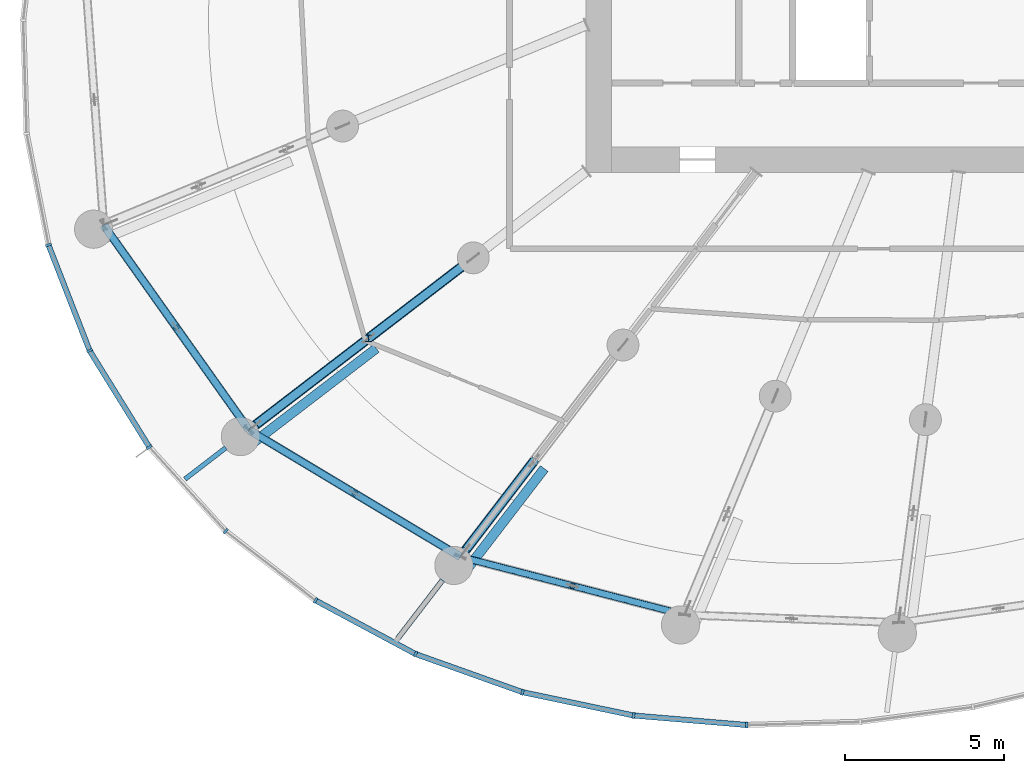
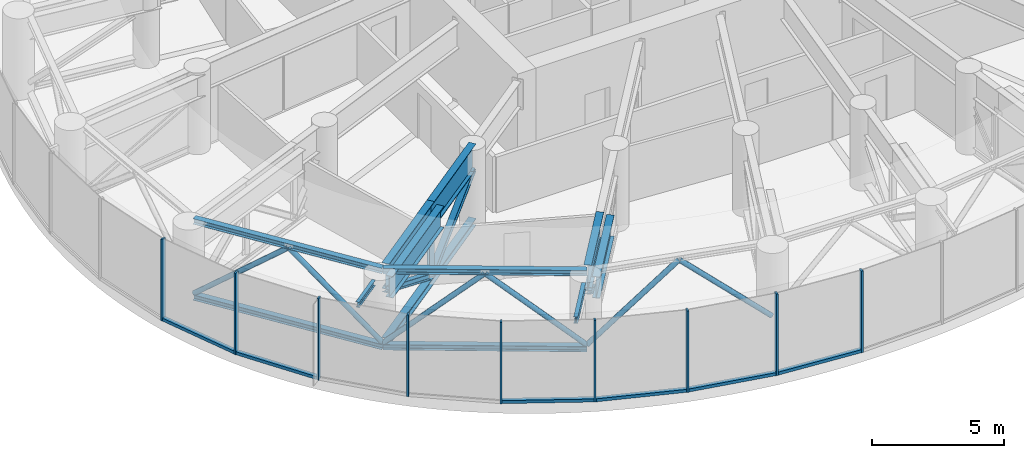
# One storey, part 2 of 33: 30 members, 7 beams, 2 elements without a shape of their own.
"""IFC4 building model written with IfcOpenShell, lengths in metres."""

from ifc_helpers import new_model, si_unit, direction, frame, origin, origin_2d, place, context, subcontext, project, spatial, rectangle, hollow_circle, i_section, extrude, source, transform, mapped, material, layer, layer_set, material_profile, profile_set, type_object, element, aggregate, save


model = new_model("IFC4")

# Units and contexts
model_context = context("Model", 3, precision=1e-05, world=origin(), true_north=direction((0.0, 1.0)))
body_context = subcontext(model_context, "Body", "Model", "MODEL_VIEW")
ifc_project = project(units=[si_unit("LENGTHUNIT", "METRE"), si_unit("AREAUNIT", "SQUARE_METRE"), si_unit("VOLUMEUNIT", "CUBIC_METRE"), si_unit("PLANEANGLEUNIT", "RADIAN"), si_unit("MASSUNIT", "GRAM", prefix="KILO")], contexts=[model_context])

# Site, building, storey
site_placement = place(None, origin())
site = spatial("IfcSite", under=ifc_project, at=site_placement, CompositionType="ELEMENT")
building_placement = place(site_placement, origin())
building = spatial("IfcBuilding", under=site, at=building_placement, Name="Spindrift Exchange Tower", CompositionType="ELEMENT")
storey_placement = place(building_placement, frame((0.0, 0.0, 129.0)))
storey = spatial("IfcBuildingStorey", under=building, at=storey_placement, Name="L30", CompositionType="ELEMENT", Elevation=129.0)

# Beams
ifc_material_1 = material(Name="Steel Grade 300", Category="steel")
ifc_material_profile_1 = material_profile(ifc_material_1, i_section(OverallWidth=0.14599609375, OverallDepth=0.251953125, WebThickness=0.006103515625, FlangeThickness=0.008544921875, FilletRadius=0.011962890625, at=origin_2d()), Name="250UB31.4")
ifc_profile_set_1 = profile_set([ifc_material_profile_1], Name="Steel Grade 300")
beam_type_1 = type_object("IfcBeamType", Name="Cantilever Beam 250UB31.4 Steel Grade 300", PredefinedType="BEAM", material=ifc_profile_set_1)
shared_shape_1 = source(origin(), body_context, "Body", "SweptSolid", [
    extrude(i_section(OverallWidth=0.14599609375, OverallDepth=0.251953125, WebThickness=0.006103515625, FlangeThickness=0.008544921875, FilletRadius=0.011962890625, at=origin_2d()), origin(), (0.0, 0.0, 1.0), 1.6142578125),
])
beam_1_placement = place(storey_placement, frame((27.691650390625, 29.347412109375, 3.654052734375), z_axis=(-0.793455404802, -0.608628392856, 0.0), x_axis=(0.608628392856, -0.793455404802, 0.0)))
element("IfcBeam", 1, at=beam_1_placement, inside=storey, type_object=beam_type_1, Name="L30 cantilever beam R15T", PredefinedType="BEAM", context=body_context, shape_type="MappedRepresentation", body=[
    mapped(shared_shape_1, transform((0.0, 0.0, 0.0), scale=1.0)),
])
ifc_material_profile_2 = material_profile(ifc_material_1, i_section(OverallWidth=0.1650390625, OverallDepth=0.303955078125, WebThickness=0.006103515625, FlangeThickness=0.01025390625, FilletRadius=0.011474609375, at=origin_2d()), Name="310UB40.4")
ifc_profile_set_2 = profile_set([ifc_material_profile_2], Name="Steel Grade 300")
beam_type_2 = type_object("IfcBeamType", Name="Cantilever Beam 310UB40.4 Steel Grade 300", PredefinedType="BEAM", material=ifc_profile_set_2)
shared_shape_2 = source(origin(), body_context, "Body", "SweptSolid", [
    extrude(i_section(OverallWidth=0.1650390625, OverallDepth=0.303955078125, WebThickness=0.006103515625, FlangeThickness=0.01025390625, FilletRadius=0.011474609375, at=origin_2d()), origin(), (0.0, 0.0, 1.0), 2.2978515625),
])
beam_2_placement = place(storey_placement, frame((34.501220703125, 25.195068359375, 3.6279296875), z_axis=(-0.608786129894, -0.793334386024, 0.0), x_axis=(0.793334386024, -0.608786129894, 0.0)))
element("IfcBeam", 2, at=beam_2_placement, inside=storey, type_object=beam_type_2, Name="L30 cantilever beam R16T", PredefinedType="BEAM", context=body_context, shape_type="MappedRepresentation", body=[
    mapped(shared_shape_2, transform((0.0, 0.0, 0.0), scale=1.0)),
])

# Member
ifc_material_profile_3 = material_profile(ifc_material_1, i_section(OverallWidth=0.202880859375, OverallDepth=0.202880859375, WebThickness=0.00732421875, FlangeThickness=0.010986328125, FilletRadius=0.012939453125, at=origin_2d()), Name="200UC46.2")
ifc_profile_set_3 = profile_set([ifc_material_profile_3], Name="Steel Grade 300")
member_type_1 = type_object("IfcMemberType", Name="Outrigger Truss Post 200UC46.2 Steel Grade 300", PredefinedType="POST", material=ifc_profile_set_3)
shared_shape_3 = source(origin(), body_context, "Body", "SweptSolid", [
    extrude(i_section(OverallWidth=0.202880859375, OverallDepth=0.202880859375, WebThickness=0.00732421875, FlangeThickness=0.010986328125, FilletRadius=0.012939453125, at=origin_2d()), origin(), (0.0, 0.0, 1.0), 2.259033203125),
])
member_1_placement = place(storey_placement, frame((32.174072265625, 32.787109375, 0.321044921875), z_axis=(0.0, 0.0, 1.0), x_axis=(1.0, 0.0, 0.0)))
element("IfcMember", 3, at=member_1_placement, inside=storey, type_object=member_type_1, Name="L30 outrigger truss 15 post 2", PredefinedType="POST", context=body_context, shape_type="MappedRepresentation", body=[
    mapped(shared_shape_3, transform((0.0, 0.0, 0.0), scale=1.0)),
])

# Beam
ifc_material_profile_4 = material_profile(ifc_material_1, i_section(OverallWidth=0.300048828125, OverallDepth=1.199951171875, WebThickness=0.011962890625, FlangeThickness=0.028076171875, at=origin_2d()), Name="1200WB249")
ifc_profile_set_4 = profile_set([ifc_material_profile_4], Name="Steel Grade 300")
beam_type_3 = type_object("IfcBeamType", Name="Outrigger Truss Transfer Girder 1200WB249 Steel Grade 300", PredefinedType="BEAM", material=ifc_profile_set_4)
shared_shape_4 = source(origin(), body_context, "Body", "SweptSolid", [
    extrude(i_section(OverallWidth=0.300048828125, OverallDepth=1.199951171875, WebThickness=0.011962890625, FlangeThickness=0.028076171875, at=origin_2d()), origin(), (0.0, 0.0, 1.0), 4.148193359375),
])
beam_3_placement = place(storey_placement, frame((35.465087890625, 35.3125, 3.179931640625), z_axis=(-0.793341055258, -0.608777438842, 0.0), x_axis=(0.608777438842, -0.793341055258, 0.0)))
element("IfcBeam", 4, at=beam_3_placement, inside=storey, type_object=beam_type_3, Name="L30 outrigger truss 15 top chord 2", PredefinedType="BEAM", context=body_context, shape_type="MappedRepresentation", body=[
    mapped(shared_shape_4, transform((0.0, 0.0, 0.0), scale=1.0)),
])

# Members
ifc_material_profile_5 = material_profile(ifc_material_1, i_section(OverallWidth=0.30908203125, OverallDepth=0.321044921875, WebThickness=0.013916015625, FlangeThickness=0.021728515625, FilletRadius=0.0166015625, at=origin_2d()), Name="310UC137")
ifc_profile_set_5 = profile_set([ifc_material_profile_5], Name="Steel Grade 300")
member_type_2 = type_object("IfcMemberType", Name="Outrigger Truss Chord 310UC137 Steel Grade 300", PredefinedType="CHORD", material=ifc_profile_set_5)
shared_shape_5 = source(origin(), body_context, "Body", "SweptSolid", [
    extrude(i_section(OverallWidth=0.30908203125, OverallDepth=0.321044921875, WebThickness=0.013916015625, FlangeThickness=0.021728515625, FilletRadius=0.0166015625, at=origin_2d()), origin(), (0.0, 0.0, 1.0), 8.638427734375),
])
member_2_placement = place(storey_placement, frame((35.465087890625, 35.3125, 0.160400390625), z_axis=(-0.793348370167, -0.608767906145, 0.0), x_axis=(0.608767906145, -0.793348370167, 0.0)))
element("IfcMember", 5, at=member_2_placement, inside=storey, type_object=member_type_2, Name="L30 outrigger truss 15 bottom chord 2", PredefinedType="CHORD", context=body_context, shape_type="MappedRepresentation", body=[
    mapped(shared_shape_5, transform((0.0, 0.0, 0.0), scale=1.0)),
])
ifc_material_profile_6 = material_profile(ifc_material_1, i_section(OverallWidth=0.25390625, OverallDepth=0.25390625, WebThickness=0.008544921875, FlangeThickness=0.01416015625, FilletRadius=0.011962890625, at=origin_2d()), Name="250UC72.9")
ifc_profile_set_6 = profile_set([ifc_material_profile_6], Name="Steel Grade 300")
member_type_3 = type_object("IfcMemberType", Name="Outrigger Truss Diagonal 250UC72.9 Steel Grade 300", PredefinedType="BRACE", material=ifc_profile_set_6)
shared_shape_6 = source(origin(), body_context, "Body", "SweptSolid", [
    extrude(i_section(OverallWidth=0.25390625, OverallDepth=0.25390625, WebThickness=0.008544921875, FlangeThickness=0.01416015625, FilletRadius=0.011962890625, at=origin_2d()), origin(), (0.0, 0.0, 1.0), 4.7236328125),
])
member_3_placement = place(storey_placement, frame((35.465087890625, 35.3125, 2.580078125), z_axis=(-0.696729923602, -0.534642012592, -0.478252372633), x_axis=(0.608777438842, -0.793341055258, 0.0)))
element("IfcMember", 6, at=member_3_placement, inside=storey, type_object=member_type_3, Name="L30 outrigger truss 15 diagonal 2", PredefinedType="BRACE", context=body_context, shape_type="MappedRepresentation", body=[
    mapped(shared_shape_6, transform((0.0, 0.0, 0.0), scale=1.0)),
])

# Beam
shared_shape_7 = source(origin(), body_context, "Body", "SweptSolid", [
    extrude(i_section(OverallWidth=0.300048828125, OverallDepth=1.199951171875, WebThickness=0.011962890625, FlangeThickness=0.028076171875, at=origin_2d()), origin(), (0.0, 0.0, 1.0), 4.490234375),
])
beam_4_placement = place(storey_placement, frame((32.174072265625, 32.787109375, 3.179931640625), z_axis=(-0.793355128117, -0.608759099061, 0.0), x_axis=(0.608759099061, -0.793355128117, 0.0)))
element("IfcBeam", 7, at=beam_4_placement, inside=storey, type_object=beam_type_3, Name="L30 outrigger truss 15 top chord 3", PredefinedType="BEAM", context=body_context, shape_type="MappedRepresentation", body=[
    mapped(shared_shape_7, transform((0.0, 0.0, 0.0), scale=1.0)),
])

# Member
shared_shape_8 = source(origin(), body_context, "Body", "SweptSolid", [
    extrude(i_section(OverallWidth=0.25390625, OverallDepth=0.25390625, WebThickness=0.008544921875, FlangeThickness=0.01416015625, FilletRadius=0.011962890625, at=origin_2d()), origin(), (0.0, 0.0, 1.0), 5.0263671875),
])
member_4_placement = place(storey_placement, frame((32.174072265625, 32.787109375, 0.321044921875), z_axis=(-0.708713845641, -0.543811953656, 0.449436585136), x_axis=(0.608759099061, -0.793355128117, 0.0)))
element("IfcMember", 8, at=member_4_placement, inside=storey, type_object=member_type_3, Name="L30 outrigger truss 15 diagonal 3", PredefinedType="BRACE", context=body_context, shape_type="MappedRepresentation", body=[
    mapped(shared_shape_8, transform((0.0, 0.0, 0.0), scale=1.0)),
])

# Beam
shared_shape_9 = source(origin(), body_context, "Body", "SweptSolid", [
    extrude(i_section(OverallWidth=0.300048828125, OverallDepth=1.199951171875, WebThickness=0.011962890625, FlangeThickness=0.028076171875, at=origin_2d()), origin(), (0.0, 0.0, 1.0), 3.56103515625),
])
beam_5_placement = place(storey_placement, frame((37.375, 28.9404296875, 3.179931640625), z_axis=(-0.608739511674, -0.793370157573, 0.0), x_axis=(0.793370157573, -0.608739511674, 0.0)))
element("IfcBeam", 9, at=beam_5_placement, inside=storey, type_object=beam_type_3, Name="L30 outrigger truss 16 top chord 3", PredefinedType="BEAM", context=body_context, shape_type="MappedRepresentation", body=[
    mapped(shared_shape_9, transform((0.0, 0.0, 0.0), scale=1.0)),
])

# Members
shared_shape_10 = source(origin(), body_context, "Body", "SweptSolid", [
    extrude(i_section(OverallWidth=0.25390625, OverallDepth=0.25390625, WebThickness=0.008544921875, FlangeThickness=0.01416015625, FilletRadius=0.011962890625, at=origin_2d()), origin(), (0.0, 0.0, 1.0), 4.217041015625),
])
member_5_placement = place(storey_placement, frame((37.375, 28.9404296875, 0.321044921875), z_axis=(-0.514031236395, -0.669936869868, 0.535683188463), x_axis=(0.793370157573, -0.608739511674, 0.0)))
element("IfcMember", 10, at=member_5_placement, inside=storey, type_object=member_type_3, Name="L30 outrigger truss 16 diagonal 3", PredefinedType="BRACE", context=body_context, shape_type="MappedRepresentation", body=[
    mapped(shared_shape_10, transform((0.0, 0.0, 0.0), scale=1.0)),
])
ifc_material_profile_7 = material_profile(ifc_material_1, i_section(OverallWidth=0.25390625, OverallDepth=0.25390625, WebThickness=0.008544921875, FlangeThickness=0.01416015625, FilletRadius=0.011962890625, at=origin_2d()), Name="250UC72.9")
ifc_profile_set_7 = profile_set([ifc_material_profile_7], Name="Steel Grade 300")
member_type_4 = type_object("IfcMemberType", Name="Belt Truss Chord 250UC72.9 Steel Grade 300", PredefinedType="CHORD", material=ifc_profile_set_7)
shared_shape_11 = source(origin(), body_context, "Body", "SweptSolid", [
    extrude(i_section(OverallWidth=0.25390625, OverallDepth=0.25390625, WebThickness=0.008544921875, FlangeThickness=0.01416015625, FilletRadius=0.011962890625, at=origin_2d()), origin(), (0.0, 0.0, 1.0), 7.88916015625),
])
for number, where, z_axis, x_axis, name in (
    (11, (23.858642578125, 36.343505859375, 3.653076171875), (0.578359884136, -0.815781738226, 0.0), (0.815781738226, 0.578359884136, 0.0), "L30 belt truss 14 top chord"),
    (12, (23.858642578125, 36.343505859375, 0.126953125), (0.578359884136, -0.815781738226, 0.0), (0.815781738226, 0.578359884136, 0.0), "L30 belt truss 14 bottom chord"),
):
    element("IfcMember", number, at=place(storey_placement, frame(where, z_axis=z_axis, x_axis=x_axis)), inside=storey, type_object=member_type_4, Name=name, PredefinedType="CHORD", context=body_context, shape_type="MappedRepresentation", body=[
        mapped(shared_shape_11, transform((0.0, 0.0, 0.0), scale=1.0)),
    ])
ifc_material_2 = material(Name="Steel Grade 350", Category="steel")
ifc_material_profile_8 = material_profile(ifc_material_2, hollow_circle(Radius=0.109619140625, WallThickness=0.006103515625, at=origin_2d()), Name="219.1x6.0CHS")
ifc_profile_set_8 = profile_set([ifc_material_profile_8], Name="Steel Grade 350")
member_type_5 = type_object("IfcMemberType", Name="Belt Truss Diagonal 219.1x6.0CHS Steel Grade 350", PredefinedType="BRACE", material=ifc_profile_set_8)
shared_shape_12 = source(origin(), body_context, "Body", "SweptSolid", [
    extrude(hollow_circle(Radius=0.109619140625, WallThickness=0.006103515625, at=origin_2d()), origin(), (0.0, 0.0, 1.0), 5.125),
])
member_6_placement = place(storey_placement, frame((23.858642578125, 36.343505859375, 0.25390625), z_axis=(0.445160837099, -0.627893525286, 0.638421138448), x_axis=(0.815777488954, 0.578365877724, 0.0)))
element("IfcMember", 13, at=member_6_placement, inside=storey, type_object=member_type_5, Name="L30 belt truss 14 diagonal 1", PredefinedType="BRACE", context=body_context, shape_type="MappedRepresentation", body=[
    mapped(shared_shape_12, transform((0.0, 0.0, 0.0), scale=1.0)),
])
shared_shape_13 = source(origin(), body_context, "Body", "SweptSolid", [
    extrude(hollow_circle(Radius=0.109619140625, WallThickness=0.006103515625, at=origin_2d()), origin(), (0.0, 0.0, 1.0), 5.124755859375),
])
member_7_placement = place(storey_placement, frame((26.14013671875, 33.12548828125, 3.52587890625), z_axis=(0.445135954112, -0.627877983219, -0.638453773225), x_axis=(0.81578598782, 0.578353889999, 0.0)))
element("IfcMember", 14, at=member_7_placement, inside=storey, type_object=member_type_5, Name="L30 belt truss 14 diagonal 2", PredefinedType="BRACE", context=body_context, shape_type="MappedRepresentation", body=[
    mapped(shared_shape_13, transform((0.0, 0.0, 0.0), scale=1.0)),
])
shared_shape_14 = source(origin(), body_context, "Body", "SweptSolid", [
    extrude(i_section(OverallWidth=0.25390625, OverallDepth=0.25390625, WebThickness=0.008544921875, FlangeThickness=0.01416015625, FilletRadius=0.011962890625, at=origin_2d()), origin(), (0.0, 0.0, 1.0), 7.742919921875),
])
for number, where, z_axis, x_axis, name in (
    (15, (28.42138671875, 29.90771484375, 3.653076171875), (0.857551345458, -0.514398376652, 0.0), (0.514398376652, 0.857551345458, 0.0), "L30 belt truss 15 top chord"),
    (16, (28.42138671875, 29.90771484375, 0.126953125), (0.857551345458, -0.514398376652, 0.0), (0.514398376652, 0.857551345458, 0.0), "L30 belt truss 15 bottom chord"),
):
    element("IfcMember", number, at=place(storey_placement, frame(where, z_axis=z_axis, x_axis=x_axis)), inside=storey, type_object=member_type_4, Name=name, PredefinedType="CHORD", context=body_context, shape_type="MappedRepresentation", body=[
        mapped(shared_shape_14, transform((0.0, 0.0, 0.0), scale=1.0)),
    ])
shared_shape_15 = source(origin(), body_context, "Body", "SweptSolid", [
    extrude(hollow_circle(Radius=0.109619140625, WallThickness=0.006103515625, at=origin_2d()), origin(), (0.0, 0.0, 1.0), 5.069091796875),
])
member_8_placement = place(storey_placement, frame((28.42138671875, 29.90771484375, 0.25390625), z_axis=(0.654977676576, -0.39287101315, 0.645489434626), x_axis=(0.514384467866, 0.857559688429, 0.0)))
element("IfcMember", 17, at=member_8_placement, inside=storey, type_object=member_type_5, Name="L30 belt truss 15 diagonal 1", PredefinedType="BRACE", context=body_context, shape_type="MappedRepresentation", body=[
    mapped(shared_shape_15, transform((0.0, 0.0, 0.0), scale=1.0)),
])
shared_shape_16 = source(origin(), body_context, "Body", "SweptSolid", [
    extrude(hollow_circle(Radius=0.109619140625, WallThickness=0.006103515625, at=origin_2d()), origin(), (0.0, 0.0, 1.0), 5.06884765625),
])
member_9_placement = place(storey_placement, frame((31.741455078125, 27.916259765625, 3.52587890625), z_axis=(0.654950173618, -0.392883406839, -0.645509797531), x_axis=(0.514412286055, 0.857543001811, 0.0)))
element("IfcMember", 18, at=member_9_placement, inside=storey, type_object=member_type_5, Name="L30 belt truss 15 diagonal 2", PredefinedType="BRACE", context=body_context, shape_type="MappedRepresentation", body=[
    mapped(shared_shape_16, transform((0.0, 0.0, 0.0), scale=1.0)),
])
shared_shape_17 = source(origin(), body_context, "Body", "SweptSolid", [
    extrude(hollow_circle(Radius=0.109619140625, WallThickness=0.006103515625, at=origin_2d()), origin(), (0.0, 0.0, 1.0), 4.891357421875),
])
member_10_placement = place(storey_placement, frame((35.061279296875, 25.9248046875, 0.25390625), z_axis=(0.719592906036, -0.18632450012, 0.668931409218), x_axis=(0.250663864298, 0.968074184727, 0.0)))
element("IfcMember", 19, at=member_10_placement, inside=storey, type_object=member_type_5, Name="L30 belt truss 16 diagonal 1", PredefinedType="BRACE", context=body_context, shape_type="MappedRepresentation", body=[
    mapped(shared_shape_17, transform((0.0, 0.0, 0.0), scale=1.0)),
])
shared_shape_18 = source(origin(), body_context, "Body", "SweptSolid", [
    extrude(hollow_circle(Radius=0.109619140625, WallThickness=0.006103515625, at=origin_2d()), origin(), (0.0, 0.0, 1.0), 4.8916015625),
])
member_11_placement = place(storey_placement, frame((38.5810546875, 25.013427734375, 3.52587890625), z_axis=(0.719616971997, -0.18631780805, -0.668907383736), x_axis=(0.250647571082, 0.96807840339, 0.0)))
element("IfcMember", 20, at=member_11_placement, inside=storey, type_object=member_type_5, Name="L30 belt truss 16 diagonal 2", PredefinedType="BRACE", context=body_context, shape_type="MappedRepresentation", body=[
    mapped(shared_shape_18, transform((0.0, 0.0, 0.0), scale=1.0)),
])

# Beams
ifc_material_profile_9 = material_profile(ifc_material_1, i_section(OverallWidth=0.300048828125, OverallDepth=1.0, WebThickness=0.010009765625, FlangeThickness=0.02001953125, at=origin_2d()), Name="1000WB215")
ifc_profile_set_9 = profile_set([ifc_material_profile_9], Name="Steel Grade 300")
beam_type_4 = type_object("IfcBeamType", Name="Transfer Tie Beam 1000WB215 Steel Grade 300", PredefinedType="BEAM", material=ifc_profile_set_9)
shared_shape_19 = source(origin(), body_context, "Body", "SweptSolid", [
    extrude(i_section(OverallWidth=0.300048828125, OverallDepth=1.0, WebThickness=0.010009765625, FlangeThickness=0.02001953125, at=origin_2d()), origin(), (0.0, 0.0, 1.0), 5.06982421875),
])
beam_6_placement = place(storey_placement, frame((28.395263671875, 29.38330078125, 3.179931640625), z_axis=(0.793346645216, 0.608770154101, 0.0), x_axis=(-0.608770154101, 0.793346645216, 0.0)))
element("IfcBeam", 21, at=beam_6_placement, inside=storey, type_object=beam_type_4, Name="L30 transfer tie beam K15", PredefinedType="BEAM", context=body_context, shape_type="MappedRepresentation", body=[
    mapped(shared_shape_19, transform((0.0, 0.0, 0.0), scale=1.0)),
])
shared_shape_20 = source(origin(), body_context, "Body", "SweptSolid", [
    extrude(i_section(OverallWidth=0.300048828125, OverallDepth=1.0, WebThickness=0.010009765625, FlangeThickness=0.02001953125, at=origin_2d()), origin(), (0.0, 0.0, 1.0), 4.14111328125),
])
beam_7_placement = place(storey_placement, frame((35.17138671875, 25.41162109375, 3.179931640625), z_axis=(0.608764424347, 0.793351041878, 0.0), x_axis=(-0.793351041878, 0.608764424347, 0.0)))
element("IfcBeam", 22, at=beam_7_placement, inside=storey, type_object=beam_type_4, Name="L30 transfer tie beam K16", PredefinedType="BEAM", context=body_context, shape_type="MappedRepresentation", body=[
    mapped(shared_shape_20, transform((0.0, 0.0, 0.0), scale=1.0)),
])

# Curtain wall, member
ifc_material_3 = material(Name="Fritted laminated glass with bronze frame", Category="glass")
ifc_layer = layer(ifc_material_3, 0.18994140625)
ifc_layer_set = layer_set([ifc_layer], Name="ZONE 2 BRONZE FRITTED WALL")
curtain_wall_type = type_object("IfcCurtainWallType", Name="ZONE 2 BRONZE FRITTED WALL", PredefinedType="NOTDEFINED", material=ifc_layer_set)
curtain_wall_1_placement = place(storey_placement, origin())
curtain_wall_1 = element("IfcCurtainWall", 23, at=curtain_wall_1_placement, inside=storey, type_object=curtain_wall_type, Name="L30 Zone 2 Bronze Fritted Wall run 6", PredefinedType="NOTDEFINED")
ifc_material_4 = material(Name="Bronze anodised aluminium", Category="aluminium")
ifc_material_profile_10 = material_profile(ifc_material_4, rectangle(XDim=0.169921875, YDim=0.139892578125, at=origin_2d()), Name="ZONE 2 BRONZE FRITTED WALL TRANSOM 170X140")
ifc_profile_set_10 = profile_set([ifc_material_profile_10], Name="Bronze anodised aluminium")
member_type_6 = type_object("IfcMemberType", Name="ZONE 2 BRONZE FRITTED WALL TRANSOM 170X140", PredefinedType="USERDEFINED", material=ifc_profile_set_10)
shared_shape_21 = source(origin(), body_context, "Body", "SweptSolid", [
    extrude(rectangle(XDim=0.169921875, YDim=0.139892578125, at=origin_2d()), origin(), (0.0, 0.0, 1.0), 3.490478515625),
])
member_12_placement = place(storey_placement, frame((40.537109375, 20.939453125, 0.070068359375), z_axis=(0.996477410527, -0.08386161404, 0.0), x_axis=(0.08386161404, 0.996477410527, 0.0)))
member_12 = element("IfcMember", 24, at=member_12_placement, type_object=member_type_6, Name="L30 transom CW-2.32", ObjectType="TRANSOM", PredefinedType="USERDEFINED", context=body_context, shape_type="MappedRepresentation", body=[
    mapped(shared_shape_21, transform((0.0, 0.0, 0.0), scale=1.0)),
])

# Curtain wall, members
curtain_wall_2_placement = place(storey_placement, origin())
curtain_wall_2 = element("IfcCurtainWall", 25, at=curtain_wall_2_placement, inside=storey, type_object=curtain_wall_type, Name="L30 Zone 2 Bronze Fritted Wall run 5", PredefinedType="NOTDEFINED")
shared_shape_22 = source(origin(), body_context, "Body", "SweptSolid", [
    extrude(rectangle(XDim=0.169921875, YDim=0.139892578125, at=origin_2d()), origin(), (0.0, 0.0, 1.0), 3.489013671875),
])
member_13_placement = place(storey_placement, frame((30.544921875, 24.538818359375, 0.070068359375), z_axis=(0.881240603149, -0.472667958891, 0.0), x_axis=(0.472667958891, 0.881240603149, 0.0)))
member_13 = element("IfcMember", 26, at=member_13_placement, type_object=member_type_6, Name="L30 transom CW-2.29", ObjectType="TRANSOM", PredefinedType="USERDEFINED", context=body_context, shape_type="MappedRepresentation", body=[
    mapped(shared_shape_22, transform((0.0, 0.0, 0.0), scale=1.0)),
])
shared_shape_23 = source(origin(), body_context, "Body", "SweptSolid", [
    extrude(rectangle(XDim=0.169921875, YDim=0.139892578125, at=origin_2d()), origin(), (0.0, 0.0, 1.0), 3.48779296875),
])
member_14_placement = place(storey_placement, frame((23.437255859375, 32.365478515625, 0.070068359375), z_axis=(0.526407630755, -0.850232324887, 0.0), x_axis=(0.850232324887, 0.526407630755, 0.0)))
member_14 = element("IfcMember", 27, at=member_14_placement, type_object=member_type_6, Name="L30 transom CW-2.26", ObjectType="TRANSOM", PredefinedType="USERDEFINED", context=body_context, shape_type="MappedRepresentation", body=[
    mapped(shared_shape_23, transform((0.0, 0.0, 0.0), scale=1.0)),
])

# Member
shared_shape_24 = source(origin(), body_context, "Body", "SweptSolid", [
    extrude(rectangle(XDim=0.169921875, YDim=0.139892578125, at=origin_2d()), origin(), (0.0, 0.0, 1.0), 3.490234375),
])
member_15_placement = place(storey_placement, frame((37.047119140625, 21.6669921875, 0.070068359375), z_axis=(0.978697230379, -0.205308867927, 0.0), x_axis=(0.205308867927, 0.978697230379, 0.0)))
member_15 = element("IfcMember", 28, at=member_15_placement, type_object=member_type_6, Name="L30 transom CW-2.31", ObjectType="TRANSOM", PredefinedType="USERDEFINED", context=body_context, shape_type="MappedRepresentation", body=[
    mapped(shared_shape_24, transform((0.0, 0.0, 0.0), scale=1.0)),
])

shared_shape_25 = source(origin(), body_context, "Body", "SweptSolid", [
    extrude(rectangle(XDim=0.169921875, YDim=0.139892578125, at=origin_2d()), origin(), (0.0, 0.0, 1.0), 3.488037109375),
])
member_16_placement = place(storey_placement, frame((22.139404296875, 35.682861328125, 0.070068359375), z_axis=(0.362503682572, -0.931982338954, 0.0), x_axis=(0.931982338954, 0.362503682572, 0.0)))
member_16 = element("IfcMember", 29, at=member_16_placement, type_object=member_type_6, Name="L30 transom CW-2.25", ObjectType="TRANSOM", PredefinedType="USERDEFINED", context=body_context, shape_type="MappedRepresentation", body=[
    mapped(shared_shape_25, transform((0.0, 0.0, 0.0), scale=1.0)),
])

shared_shape_26 = source(origin(), body_context, "Body", "SweptSolid", [
    extrude(rectangle(XDim=0.169921875, YDim=0.139892578125, at=origin_2d()), origin(), (0.0, 0.0, 1.0), 3.48974609375),
])
member_17_placement = place(storey_placement, frame((33.68798828125, 22.859130859375, 0.070068359375), z_axis=(0.941953823057, -0.335742453717, 0.0), x_axis=(0.335742453717, 0.941953823057, 0.0)))
member_17 = element("IfcMember", 30, at=member_17_placement, type_object=member_type_6, Name="L30 transom CW-2.30", ObjectType="TRANSOM", PredefinedType="USERDEFINED", context=body_context, shape_type="MappedRepresentation", body=[
    mapped(shared_shape_26, transform((0.0, 0.0, 0.0), scale=1.0)),
])

ifc_material_profile_11 = material_profile(ifc_material_4, rectangle(XDim=0.074951171875, YDim=0.18994140625, at=origin_2d()), Name="ZONE 2 BRONZE FRITTED WALL MULLION 75X190")
ifc_profile_set_11 = profile_set([ifc_material_profile_11], Name="Bronze anodised aluminium")
member_type_7 = type_object("IfcMemberType", Name="ZONE 2 BRONZE FRITTED WALL MULLION 75X190", PredefinedType="MULLION", material=ifc_profile_set_11)
shared_shape_27 = source(origin(), body_context, "Body", "SweptSolid", [
    extrude(rectangle(XDim=0.074951171875, YDim=0.18994140625, at=origin_2d()), origin(), (0.0, 0.0, 1.0), 3.780029296875),
])
member_18_placement = place(storey_placement, frame((22.125732421875, 35.7177734375, 0.0), z_axis=(0.0, 0.0, 1.0), x_axis=(0.279074436748, -0.960269471947, 0.0)))
member_18 = element("IfcMember", 31, at=member_18_placement, type_object=member_type_7, Name="L30 mullion CW-2.25", PredefinedType="MULLION", context=body_context, shape_type="MappedRepresentation", body=[
    mapped(shared_shape_27, transform((0.0, 0.0, 0.0), scale=1.0)),
])

member_19_placement = place(storey_placement, frame((23.41748046875, 32.397216796875, 0.0), z_axis=(0.0, 0.0, 1.0), x_axis=(0.44637586424, -0.894845566466, 0.0)))
member_19 = element("IfcMember", 32, at=member_19_placement, type_object=member_type_7, Name="L30 mullion CW-2.26", PredefinedType="MULLION", context=body_context, shape_type="MappedRepresentation", body=[
    mapped(shared_shape_27, transform((0.0, 0.0, 0.0), scale=1.0)),
])

member_20_placement = place(storey_placement, frame((25.29296875, 29.368408203125, 0.0), z_axis=(0.0, 0.0, 1.0), x_axis=(0.602083707477, -0.798432971007, 0.0)))
member_20 = element("IfcMember", 33, at=member_20_placement, type_object=member_type_7, Name="L30 mullion CW-2.27", PredefinedType="MULLION", context=body_context, shape_type="MappedRepresentation", body=[
    mapped(shared_shape_27, transform((0.0, 0.0, 0.0), scale=1.0)),
])

member_21_placement = place(storey_placement, frame((27.689697265625, 26.73193359375, 0.0), z_axis=(0.0, 0.0, 1.0), x_axis=(0.735203210127, -0.677846767211, 0.0)))
member_21 = element("IfcMember", 34, at=member_21_placement, type_object=member_type_7, Name="L30 mullion CW-2.28", PredefinedType="MULLION", context=body_context, shape_type="MappedRepresentation", body=[
    mapped(shared_shape_27, transform((0.0, 0.0, 0.0), scale=1.0)),
])

member_22_placement = place(storey_placement, frame((30.511962890625, 24.556640625, 0.0), z_axis=(0.0, 0.0, 1.0), x_axis=(0.83945712629, -0.543425922386, 0.0)))
member_22 = element("IfcMember", 35, at=member_22_placement, type_object=member_type_7, Name="L30 mullion CW-2.29", PredefinedType="MULLION", context=body_context, shape_type="MappedRepresentation", body=[
    mapped(shared_shape_27, transform((0.0, 0.0, 0.0), scale=1.0)),
])

member_23_placement = place(storey_placement, frame((33.652587890625, 22.871826171875, 0.0), z_axis=(0.0, 0.0, 1.0), x_axis=(0.914143480869, -0.405390794648, 0.0)))
member_23 = element("IfcMember", 36, at=member_23_placement, type_object=member_type_7, Name="L30 mullion CW-2.30", PredefinedType="MULLION", context=body_context, shape_type="MappedRepresentation", body=[
    mapped(shared_shape_27, transform((0.0, 0.0, 0.0), scale=1.0)),
])

aggregate(curtain_wall_2, [member_18, member_16, member_19, member_14, member_20, member_21, member_22, member_13, member_23, member_17])

member_24_placement = place(storey_placement, frame((37.010498046875, 21.6748046875, 0.0), z_axis=(0.0, 0.0, 1.0), x_axis=(0.96252669983, -0.271186932049, 0.0)))
member_24 = element("IfcMember", 37, at=member_24_placement, type_object=member_type_7, Name="L30 mullion CW-2.31", PredefinedType="MULLION", context=body_context, shape_type="MappedRepresentation", body=[
    mapped(shared_shape_27, transform((0.0, 0.0, 0.0), scale=1.0)),
])

member_25_placement = place(storey_placement, frame((40.499755859375, 20.942626953125, 0.0), z_axis=(0.0, 0.0, 1.0), x_axis=(0.989446370213, -0.144899553043, 0.0)))
member_25 = element("IfcMember", 38, at=member_25_placement, type_object=member_type_7, Name="L30 mullion CW-2.32", PredefinedType="MULLION", context=body_context, shape_type="MappedRepresentation", body=[
    mapped(shared_shape_27, transform((0.0, 0.0, 0.0), scale=1.0)),
])

member_26_placement = place(storey_placement, frame((44.052734375, 20.6435546875, 0.0), z_axis=(0.0, 0.0, 1.0), x_axis=(0.999606952816, -0.02803461933, 0.0)))
member_26 = element("IfcMember", 39, at=member_26_placement, type_object=member_type_7, Name="L30 mullion CW-2.33", PredefinedType="MULLION", context=body_context, shape_type="MappedRepresentation", body=[
    mapped(shared_shape_27, transform((0.0, 0.0, 0.0), scale=1.0)),
])

aggregate(curtain_wall_1, [member_24, member_15, member_25, member_12, member_26])

save(model, "model.ifc")
